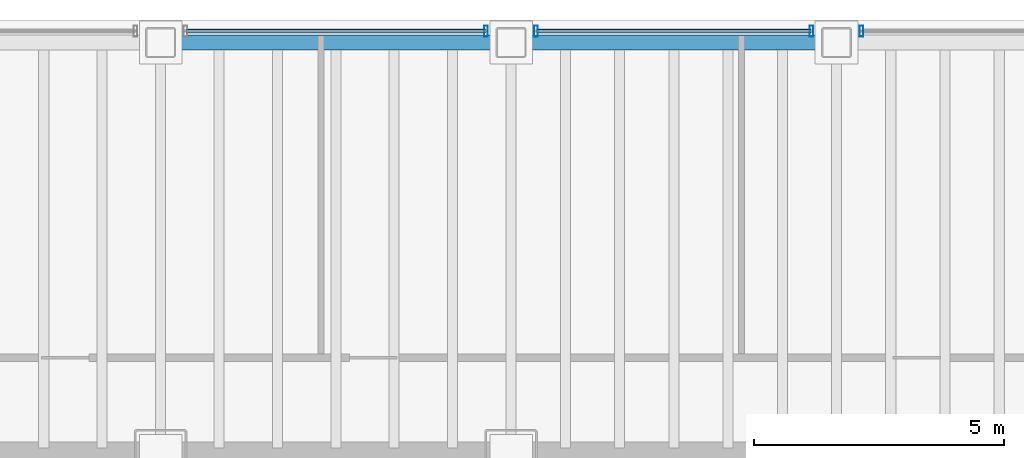
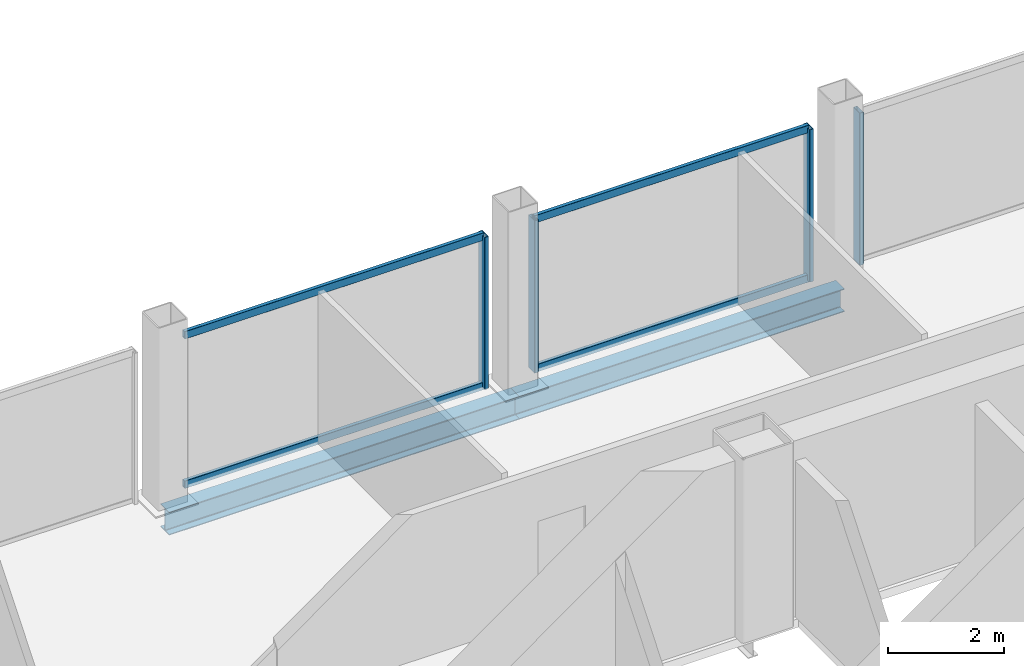
# One storey, part 14 of 20: 8 members, 2 beams, 3 elements without a shape of their own.
"""IFC4 building model written with IfcOpenShell, lengths in metres."""

from ifc_helpers import new_model, si_unit, direction, frame, origin, origin_2d, place, context, subcontext, project, spatial, hollow_rectangle, i_section, extrude, material, material_profile, profile_set, type_object, element, aggregate, save


model = new_model("IFC4")

# Units and contexts
model_context = context("Model", 3, precision=1e-05, world=origin(), true_north=direction((0.0, 1.0)))
body_context = subcontext(model_context, "Body", "Model", "MODEL_VIEW")
ifc_project = project(units=[si_unit("LENGTHUNIT", "METRE"), si_unit("AREAUNIT", "SQUARE_METRE"), si_unit("VOLUMEUNIT", "CUBIC_METRE"), si_unit("PLANEANGLEUNIT", "RADIAN"), si_unit("MASSUNIT", "GRAM", prefix="KILO")], contexts=[model_context])

# Site, building, storey
site_placement = place(None, origin())
site = spatial("IfcSite", under=ifc_project, at=site_placement, CompositionType="ELEMENT")
building_placement = place(site_placement, origin())
building = spatial("IfcBuilding", under=site, at=building_placement, Name="Noeulbin Bourse Tower", CompositionType="ELEMENT")
storey_placement = place(building_placement, frame((0.0, 0.0, 61.60009765625)))
storey = spatial("IfcBuildingStorey", under=building, at=storey_placement, Name="L15", CompositionType="ELEMENT", Elevation=61.60009765625)

# Beams
ifc_material_1 = material(Name="Steel S355", Category="steel")
ifc_material_profile_1 = material_profile(ifc_material_1, i_section(OverallWidth=0.300048828125, OverallDepth=0.488037109375, WebThickness=0.010986328125, FlangeThickness=0.01806640625, FilletRadius=0.02197265625, at=origin_2d()), Name="H-488x300x11x18", Category="LoadBearing")
ifc_profile_set_1 = profile_set([ifc_material_profile_1], Name="Steel S355")
beam_type = type_object("IfcBeamType", Name="BM-SPN-488", PredefinedType="SPANDREL", material=ifc_profile_set_1)
beam_1_placement = place(storey_placement, frame((24.0, 46.550048828125, -0.424072265625), z_axis=(1.0, 0.0, 0.0), x_axis=(0.0, 1.0, 0.0)))
element("IfcBeam", 1, at=beam_1_placement, inside=storey, type_object=beam_type, Name="North Spandrel L15-2", PredefinedType="SPANDREL", context=body_context, shape_type="SweptSolid", body=[
    extrude(i_section(OverallWidth=0.300048828125, OverallDepth=0.488037109375, WebThickness=0.010986328125, FlangeThickness=0.01806640625, FilletRadius=0.02197265625, at=origin_2d()), origin(), (0.0, 0.0, 1.0), 7.0),
])
beam_2_placement = place(storey_placement, frame((31.0, 46.550048828125, -0.424072265625), z_axis=(1.0, 0.0, 0.0), x_axis=(0.0, 1.0, 0.0)))
element("IfcBeam", 2, at=beam_2_placement, inside=storey, type_object=beam_type, Name="North Spandrel L15-3", PredefinedType="SPANDREL", context=body_context, shape_type="SweptSolid", body=[
    extrude(i_section(OverallWidth=0.300048828125, OverallDepth=0.488037109375, WebThickness=0.010986328125, FlangeThickness=0.01806640625, FilletRadius=0.02197265625, at=origin_2d()), origin(), (0.0, 0.0, 1.0), 6.5),
])

# Curtain wall, member
ifc_material_2 = material(Name="Dark Solar-Control Double Glazing", Category="glass")
curtain_wall_type = type_object("IfcCurtainWallType", Name="CW-SYS-2", PredefinedType="NOTDEFINED", material=ifc_material_2)
curtain_wall_1_placement = place(storey_placement, origin())
curtain_wall_1 = element("IfcCurtainWall", 3, at=curtain_wall_1_placement, inside=storey, type_object=curtain_wall_type, Name="Unitised Curtain Wall CW-L15-N-S3", PredefinedType="NOTDEFINED")
ifc_material_3 = material(Name="Anodised Aluminium 6063-T6", Category="aluminium")
ifc_material_profile_2 = material_profile(ifc_material_3, hollow_rectangle(XDim=0.074951171875, YDim=0.219970703125, WallThickness=0.0048828125, InnerFilletRadius=0.00244140625, OuterFilletRadius=0.0048828125, at=origin_2d()), Name="ALU-MULL-75x220x5", Category="LoadBearing")
ifc_profile_set_2 = profile_set([ifc_material_profile_2], Name="Anodised Aluminium 6063-T6")
member_type_1 = type_object("IfcMemberType", Name="CW-SYS-2-MUL", PredefinedType="MULLION", material=ifc_profile_set_2)
member_1_placement = place(storey_placement, frame((30.5, 46.780029296875, -0.02001953125), z_axis=(0.0, 0.0, 1.0), x_axis=(1.0, 0.0, 0.0)))
member_1 = element("IfcMember", 4, at=member_1_placement, type_object=member_type_1, Name="Curtain Wall Mullion CW-L15-N-S3-M01", PredefinedType="MULLION", context=body_context, shape_type="SweptSolid", body=[
    extrude(hollow_rectangle(XDim=0.074951171875, YDim=0.219970703125, WallThickness=0.0048828125, InnerFilletRadius=0.00244140625, OuterFilletRadius=0.0048828125, at=origin_2d()), origin(), (0.0, 0.0, 1.0), 3.219970703125),
])

# Curtain wall, members
curtain_wall_2_placement = place(storey_placement, origin())
curtain_wall_2 = element("IfcCurtainWall", 5, at=curtain_wall_2_placement, inside=storey, type_object=curtain_wall_type, Name="Unitised Curtain Wall CW-L15-N-S4", PredefinedType="NOTDEFINED")
member_2_placement = place(storey_placement, frame((31.5, 46.780029296875, -0.02001953125), z_axis=(0.0, 0.0, 1.0), x_axis=(1.0, 0.0, 0.0)))
member_2 = element("IfcMember", 6, at=member_2_placement, type_object=member_type_1, Name="Curtain Wall Mullion CW-L15-N-S4-M00", PredefinedType="MULLION", context=body_context, shape_type="SweptSolid", body=[
    extrude(hollow_rectangle(XDim=0.074951171875, YDim=0.219970703125, WallThickness=0.0048828125, InnerFilletRadius=0.00244140625, OuterFilletRadius=0.0048828125, at=origin_2d()), origin(), (0.0, 0.0, 1.0), 3.219970703125),
])
member_3_placement = place(storey_placement, frame((37.0, 46.780029296875, -0.02001953125), z_axis=(0.0, 0.0, 1.0), x_axis=(1.0, 0.0, 0.0)))
member_3 = element("IfcMember", 7, at=member_3_placement, type_object=member_type_1, Name="Curtain Wall Mullion CW-L15-N-S4-M01", PredefinedType="MULLION", context=body_context, shape_type="SweptSolid", body=[
    extrude(hollow_rectangle(XDim=0.074951171875, YDim=0.219970703125, WallThickness=0.0048828125, InnerFilletRadius=0.00244140625, OuterFilletRadius=0.0048828125, at=origin_2d()), origin(), (0.0, 0.0, 1.0), 3.219970703125),
])

# Curtain wall, member
curtain_wall_3_placement = place(storey_placement, origin())
curtain_wall_3 = element("IfcCurtainWall", 8, at=curtain_wall_3_placement, inside=storey, type_object=curtain_wall_type, Name="Unitised Curtain Wall CW-L15-N-S5", PredefinedType="NOTDEFINED")
member_4_placement = place(storey_placement, frame((38.0, 46.780029296875, -0.02001953125), z_axis=(0.0, 0.0, 1.0), x_axis=(1.0, 0.0, 0.0)))
member_4 = element("IfcMember", 9, at=member_4_placement, type_object=member_type_1, Name="Curtain Wall Mullion CW-L15-N-S5-M00", PredefinedType="MULLION", context=body_context, shape_type="SweptSolid", body=[
    extrude(hollow_rectangle(XDim=0.074951171875, YDim=0.219970703125, WallThickness=0.0048828125, InnerFilletRadius=0.00244140625, OuterFilletRadius=0.0048828125, at=origin_2d()), origin(), (0.0, 0.0, 1.0), 3.219970703125),
])
aggregate(curtain_wall_3, [member_4])

# Member
ifc_material_profile_3 = material_profile(ifc_material_3, hollow_rectangle(XDim=0.074951171875, YDim=0.159912109375, WallThickness=0.0048828125, InnerFilletRadius=0.00244140625, OuterFilletRadius=0.0048828125, at=origin_2d()), Name="ALU-TRAN-75x160x5", Category="LoadBearing")
ifc_profile_set_3 = profile_set([ifc_material_profile_3], Name="Anodised Aluminium 6063-T6")
member_type_2 = type_object("IfcMemberType", Name="CW-SYS-2-TRN", PredefinedType="USERDEFINED", material=ifc_profile_set_3)
member_5_placement = place(storey_placement, frame((24.510009765625, 46.780029296875, 0.010009765625), z_axis=(1.0, 0.0, 0.0), x_axis=(0.0, 1.0, 0.0)))
member_5 = element("IfcMember", 10, at=member_5_placement, type_object=member_type_2, Name="Curtain Wall Transom CW-L15-N-S3-T00", ObjectType="TRANSOM", PredefinedType="USERDEFINED", context=body_context, shape_type="SweptSolid", body=[
    extrude(hollow_rectangle(XDim=0.074951171875, YDim=0.159912109375, WallThickness=0.0048828125, InnerFilletRadius=0.00244140625, OuterFilletRadius=0.0048828125, at=origin_2d()), origin(), (0.0, 0.0, 1.0), 5.97998046875),
])

member_6_placement = place(storey_placement, frame((24.510009765625, 46.780029296875, 3.169921875), z_axis=(1.0, 0.0, 0.0), x_axis=(0.0, 1.0, 0.0)))
member_6 = element("IfcMember", 11, at=member_6_placement, type_object=member_type_2, Name="Curtain Wall Transom CW-L15-N-S3-T01", ObjectType="TRANSOM", PredefinedType="USERDEFINED", context=body_context, shape_type="SweptSolid", body=[
    extrude(hollow_rectangle(XDim=0.074951171875, YDim=0.159912109375, WallThickness=0.0048828125, InnerFilletRadius=0.00244140625, OuterFilletRadius=0.0048828125, at=origin_2d()), origin(), (0.0, 0.0, 1.0), 5.97998046875),
])

aggregate(curtain_wall_1, [member_1, member_5, member_6])

member_7_placement = place(storey_placement, frame((31.510009765625, 46.780029296875, 0.010009765625), z_axis=(1.0, 0.0, 0.0), x_axis=(0.0, 1.0, 0.0)))
member_7 = element("IfcMember", 12, at=member_7_placement, type_object=member_type_2, Name="Curtain Wall Transom CW-L15-N-S4-T00", ObjectType="TRANSOM", PredefinedType="USERDEFINED", context=body_context, shape_type="SweptSolid", body=[
    extrude(hollow_rectangle(XDim=0.074951171875, YDim=0.159912109375, WallThickness=0.0048828125, InnerFilletRadius=0.00244140625, OuterFilletRadius=0.0048828125, at=origin_2d()), origin(), (0.0, 0.0, 1.0), 5.47998046875),
])

member_8_placement = place(storey_placement, frame((31.510009765625, 46.780029296875, 3.169921875), z_axis=(1.0, 0.0, 0.0), x_axis=(0.0, 1.0, 0.0)))
member_8 = element("IfcMember", 13, at=member_8_placement, type_object=member_type_2, Name="Curtain Wall Transom CW-L15-N-S4-T01", ObjectType="TRANSOM", PredefinedType="USERDEFINED", context=body_context, shape_type="SweptSolid", body=[
    extrude(hollow_rectangle(XDim=0.074951171875, YDim=0.159912109375, WallThickness=0.0048828125, InnerFilletRadius=0.00244140625, OuterFilletRadius=0.0048828125, at=origin_2d()), origin(), (0.0, 0.0, 1.0), 5.47998046875),
])

aggregate(curtain_wall_2, [member_2, member_3, member_7, member_8])

save(model, "model.ifc")
